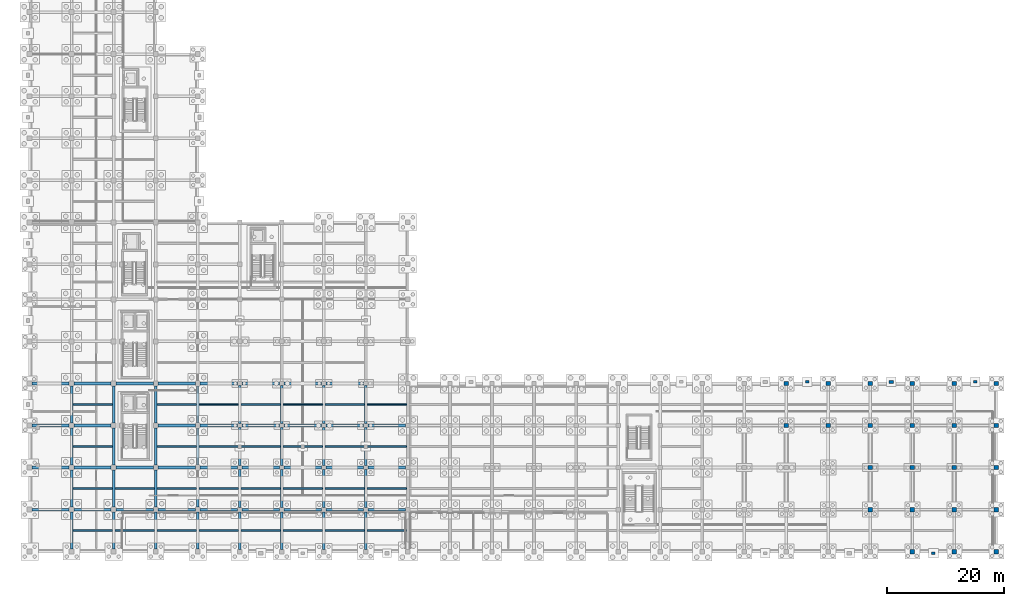
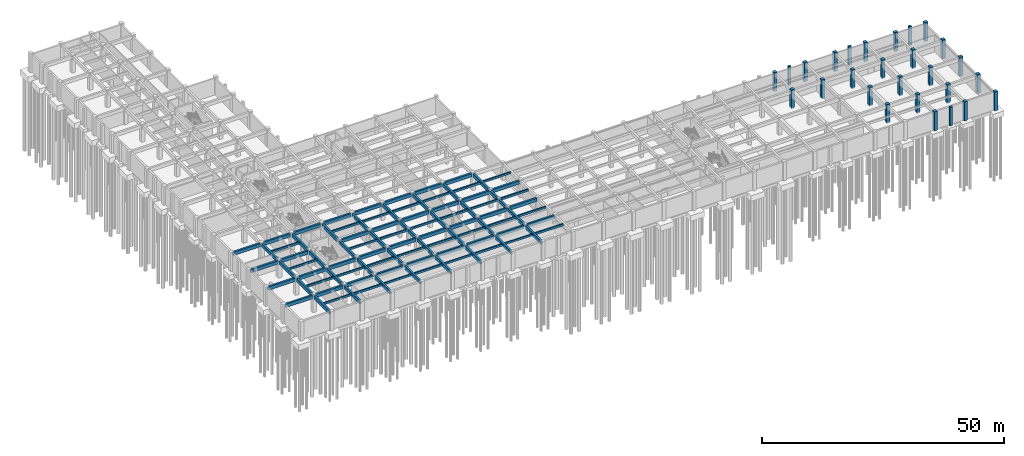
# One storey, part 11 of 28: 96 beams, 27 columns.
"""IFC4 building model written with IfcOpenShell, lengths in metres."""

from ifc_helpers import new_model, si_unit, direction, frame, origin, origin_2d, place, context, subcontext, project, spatial, rectangle, extrude, material, material_profile, profile_set, type_object, element, save


model = new_model("IFC4")

# Units and contexts
model_context = context("Model", 3, precision=1e-05, world=origin(), true_north=direction((0.0, 1.0)))
body_context = subcontext(model_context, "Body", "Model", "MODEL_VIEW")
ifc_project = project(units=[si_unit("LENGTHUNIT", "METRE"), si_unit("AREAUNIT", "SQUARE_METRE"), si_unit("VOLUMEUNIT", "CUBIC_METRE"), si_unit("PLANEANGLEUNIT", "RADIAN"), si_unit("MASSUNIT", "GRAM", prefix="KILO")], contexts=[model_context])

# Site, building, storey
site_placement = place(None, origin())
site = spatial("IfcSite", under=ifc_project, at=site_placement, CompositionType="ELEMENT")
building_placement = place(site_placement, origin())
building = spatial("IfcBuilding", under=site, at=building_placement, Name="Alvorim Cloister Faculty of Sciences", CompositionType="ELEMENT")
storey_placement = place(building_placement, frame((0.0, 0.0, -4.5)))
storey = spatial("IfcBuildingStorey", under=building, at=storey_placement, Name="B01", CompositionType="ELEMENT", Elevation=-4.5)

# Columns
ifc_material_1 = material(Name="Concrete C40", Category="concrete")
ifc_material_profile_1 = material_profile(ifc_material_1, rectangle(XDim=0.75, YDim=0.75, at=origin_2d()), Name="RC40-COL-750x750")
ifc_profile_set_1 = profile_set([ifc_material_profile_1], Name="Concrete C40")
column_type_1 = type_object("IfcColumnType", Name="COL-RC-750", PredefinedType="COLUMN", material=ifc_profile_set_1)
for number, where, z_axis, x_axis, name in (
    (1, (129.60009765625, 21.60009765625, -0.280029296875), (0.0, 0.0, 1.0), (1.0, 0.0, 0.0), "B01 Column COL-0173"),
    (2, (129.60009765625, 28.800048828125, -0.280029296875), (0.0, 0.0, 1.0), (1.0, 0.0, 0.0), "B01 Column COL-0174"),
    (3, (136.800048828125, 21.60009765625, -0.280029296875), (0.0, 0.0, 1.0), (1.0, 0.0, 0.0), "B01 Column COL-0178"),
    (4, (136.800048828125, 28.800048828125, -0.280029296875), (0.0, 0.0, 1.0), (1.0, 0.0, 0.0), "B01 Column COL-0179"),
    (5, (144.0, 7.199951171875, -0.280029296875), (0.0, 0.0, 1.0), (1.0, 0.0, 0.0), "B01 Column COL-0181"),
    (6, (144.0, 14.39990234375, -0.280029296875), (0.0, 0.0, 1.0), (1.0, 0.0, 0.0), "B01 Column COL-0182"),
    (7, (144.0, 21.60009765625, -0.280029296875), (0.0, 0.0, 1.0), (1.0, 0.0, 0.0), "B01 Column COL-0183"),
    (8, (144.0, 28.800048828125, -0.280029296875), (0.0, 0.0, 1.0), (1.0, 0.0, 0.0), "B01 Column COL-0184"),
    (9, (151.199951171875, 0.0, -0.280029296875), (0.0, 0.0, 1.0), (1.0, 0.0, 0.0), "B01 Column COL-0185"),
    (10, (151.199951171875, 7.199951171875, -0.280029296875), (0.0, 0.0, 1.0), (1.0, 0.0, 0.0), "B01 Column COL-0186"),
    (11, (151.199951171875, 14.39990234375, -0.280029296875), (0.0, 0.0, 1.0), (1.0, 0.0, 0.0), "B01 Column COL-0187"),
    (12, (151.199951171875, 21.60009765625, -0.280029296875), (0.0, 0.0, 1.0), (1.0, 0.0, 0.0), "B01 Column COL-0188"),
    (13, (151.199951171875, 28.800048828125, -0.280029296875), (0.0, 0.0, 1.0), (1.0, 0.0, 0.0), "B01 Column COL-0189"),
    (14, (158.39990234375, 0.0, -0.280029296875), (0.0, 0.0, 1.0), (1.0, 0.0, 0.0), "B01 Column COL-0190"),
    (15, (158.39990234375, 7.199951171875, -0.280029296875), (0.0, 0.0, 1.0), (1.0, 0.0, 0.0), "B01 Column COL-0191"),
    (16, (158.39990234375, 14.39990234375, -0.280029296875), (0.0, 0.0, 1.0), (1.0, 0.0, 0.0), "B01 Column COL-0192"),
    (17, (158.39990234375, 21.60009765625, -0.280029296875), (0.0, 0.0, 1.0), (1.0, 0.0, 0.0), "B01 Column COL-0193"),
    (18, (158.39990234375, 28.800048828125, -0.280029296875), (0.0, 0.0, 1.0), (1.0, 0.0, 0.0), "B01 Column COL-0194"),
    (19, (165.60009765625, 0.0, -0.280029296875), (0.0, 0.0, 1.0), (1.0, 0.0, 0.0), "B01 Column COL-0195"),
    (20, (165.60009765625, 7.199951171875, -0.280029296875), (0.0, 0.0, 1.0), (1.0, 0.0, 0.0), "B01 Column COL-0196"),
    (21, (165.60009765625, 14.39990234375, -0.280029296875), (0.0, 0.0, 1.0), (1.0, 0.0, 0.0), "B01 Column COL-0197"),
    (22, (165.60009765625, 21.60009765625, -0.280029296875), (0.0, 0.0, 1.0), (1.0, 0.0, 0.0), "B01 Column COL-0198"),
    (23, (165.60009765625, 28.800048828125, -0.280029296875), (0.0, 0.0, 1.0), (1.0, 0.0, 0.0), "B01 Column COL-0199"),
):
    element("IfcColumn", number, at=place(storey_placement, frame(where, z_axis=z_axis, x_axis=x_axis)), inside=storey, type_object=column_type_1, Name=name, PredefinedType="COLUMN", context=body_context, shape_type="SweptSolid", body=[
        extrude(rectangle(XDim=0.75, YDim=0.75, at=origin_2d()), origin(), (0.0, 0.0, 1.0), 4.780029296875),
    ])
ifc_material_2 = material(Name="Maua Grey Granite Stone", Category="masonry")
ifc_material_profile_2 = material_profile(ifc_material_2, rectangle(XDim=0.4599609375, YDim=0.6201171875, at=origin_2d()), Name="GRN-PIER-460x620")
ifc_profile_set_2 = profile_set([ifc_material_profile_2], Name="Maua Grey Granite Stone")
column_type_2 = type_object("IfcColumnType", Name="PIL-GRN-460x620", PredefinedType="PILASTER", material=ifc_profile_set_2)
for number, where, z_axis, x_axis, name in (
    (24, (154.800048828125, -0.280029296875, -0.280029296875), (0.0, 0.0, 1.0), (0.0, 1.0, 0.0), "B01 Gothic Buttress Pier COL-1190"),
    (25, (133.199951171875, 29.080078125, -0.280029296875), (0.0, 0.0, 1.0), (0.0, 1.0, 0.0), "B01 Gothic Buttress Pier COL-1208"),
    (26, (162.0, 29.080078125, -0.280029296875), (0.0, 0.0, 1.0), (0.0, 1.0, 0.0), "B01 Gothic Buttress Pier COL-1214"),
):
    element("IfcColumn", number, at=place(storey_placement, frame(where, z_axis=z_axis, x_axis=x_axis)), inside=storey, type_object=column_type_2, Name=name, PredefinedType="PILASTER", context=body_context, shape_type="SweptSolid", body=[
        extrude(rectangle(XDim=0.4599609375, YDim=0.6201171875, at=origin_2d()), origin(), (0.0, 0.0, 1.0), 4.780029296875),
    ])
ifc_material_profile_3 = material_profile(ifc_material_2, rectangle(XDim=0.52001953125, YDim=0.719970703125, at=origin_2d()), Name="GRN-PIER-520x720")
ifc_profile_set_3 = profile_set([ifc_material_profile_3], Name="Maua Grey Granite Stone")
column_type_3 = type_object("IfcColumnType", Name="PIL-GRN-520x720", PredefinedType="PILASTER", material=ifc_profile_set_3)
column_placement = place(storey_placement, frame((147.60009765625, 29.080078125, -0.280029296875), z_axis=(0.0, 0.0, 1.0), x_axis=(0.0, 1.0, 0.0)))
element("IfcColumn", 27, at=column_placement, inside=storey, type_object=column_type_3, Name="B01 Gothic Buttress Pier COL-1211", PredefinedType="PILASTER", context=body_context, shape_type="SweptSolid", body=[
    extrude(rectangle(XDim=0.52001953125, YDim=0.719970703125, at=origin_2d()), origin(), (0.0, 0.0, 1.0), 4.780029296875),
])

# Beams
ifc_material_profile_4 = material_profile(ifc_material_1, rectangle(XDim=0.260009765625, YDim=0.5, at=origin_2d()), Name="RC40-JST-260x500")
ifc_profile_set_4 = profile_set([ifc_material_profile_4], Name="Concrete C40")
beam_type_1 = type_object("IfcBeamType", Name="BM-JST-RC-260x500", PredefinedType="JOIST", material=ifc_profile_set_4)
for number, where, z_axis, x_axis, name in (
    (28, (7.425048828125, 3.60009765625, 3.989990234375), (1.0, 0.0, 0.0), (0.0, 1.0, 0.0), "B01 Secondary Floor Joist BM-0490"),
    (29, (7.425048828125, 18.0, 3.989990234375), (1.0, 0.0, 0.0), (0.0, 1.0, 0.0), "B01 Secondary Floor Joist BM-0492"),
    (30, (14.625, 10.800048828125, 3.989990234375), (1.0, 0.0, 0.0), (0.0, 1.0, 0.0), "B01 Secondary Floor Joist BM-0507"),
    (31, (21.824951171875, 3.60009765625, 3.989990234375), (1.0, 0.0, 0.0), (0.0, 1.0, 0.0), "B01 Secondary Floor Joist BM-0510"),
    (32, (21.824951171875, 18.0, 3.989990234375), (1.0, 0.0, 0.0), (0.0, 1.0, 0.0), "B01 Secondary Floor Joist BM-0512"),
    (33, (29.02490234375, 10.800048828125, 3.989990234375), (1.0, 0.0, 0.0), (0.0, 1.0, 0.0), "B01 Secondary Floor Joist BM-0519"),
    (34, (29.02490234375, 25.199951171875, 3.989990234375), (1.0, 0.0, 0.0), (0.0, 1.0, 0.0), "B01 Secondary Floor Joist BM-0521"),
    (35, (36.22509765625, 3.60009765625, 3.989990234375), (1.0, 0.0, 0.0), (0.0, 1.0, 0.0), "B01 Secondary Floor Joist BM-0526"),
    (36, (36.22509765625, 18.0, 3.989990234375), (1.0, 0.0, 0.0), (0.0, 1.0, 0.0), "B01 Secondary Floor Joist BM-0528"),
    (37, (43.425048828125, 10.800048828125, 3.989990234375), (1.0, 0.0, 0.0), (0.0, 1.0, 0.0), "B01 Secondary Floor Joist BM-0534"),
    (38, (43.425048828125, 25.199951171875, 3.989990234375), (1.0, 0.0, 0.0), (0.0, 1.0, 0.0), "B01 Secondary Floor Joist BM-0536"),
    (39, (50.625, 3.60009765625, 3.989990234375), (1.0, 0.0, 0.0), (0.0, 1.0, 0.0), "B01 Secondary Floor Joist BM-0541"),
    (40, (50.625, 18.0, 3.989990234375), (1.0, 0.0, 0.0), (0.0, 1.0, 0.0), "B01 Secondary Floor Joist BM-0543"),
    (41, (57.824951171875, 10.800048828125, 3.989990234375), (1.0, 0.0, 0.0), (0.0, 1.0, 0.0), "B01 Secondary Floor Joist BM-0550"),
    (42, (57.824951171875, 25.199951171875, 3.989990234375), (1.0, 0.0, 0.0), (0.0, 1.0, 0.0), "B01 Secondary Floor Joist BM-0552"),
):
    element("IfcBeam", number, at=place(storey_placement, frame(where, z_axis=z_axis, x_axis=x_axis)), inside=storey, type_object=beam_type_1, Name=name, PredefinedType="JOIST", context=body_context, shape_type="SweptSolid", body=[
        extrude(rectangle(XDim=0.260009765625, YDim=0.5, at=origin_2d()), origin(), (0.0, 0.0, 1.0), 6.75),
    ])
ifc_material_profile_5 = material_profile(ifc_material_1, rectangle(XDim=0.300048828125, YDim=0.550048828125, at=origin_2d()), Name="RC40-JST-300x550")
ifc_profile_set_5 = profile_set([ifc_material_profile_5], Name="Concrete C40")
beam_type_2 = type_object("IfcBeamType", Name="BM-JST-RC-300x550", PredefinedType="JOIST", material=ifc_profile_set_5)
for number, where, z_axis, x_axis, name in (
    (43, (7.425048828125, 10.800048828125, 3.965087890625), (1.0, 0.0, 0.0), (0.0, 1.0, 0.0), "B01 Secondary Floor Joist BM-0491"),
    (44, (7.425048828125, 25.199951171875, 3.965087890625), (1.0, 0.0, 0.0), (0.0, 1.0, 0.0), "B01 Secondary Floor Joist BM-0493"),
    (45, (14.625, 3.60009765625, 3.965087890625), (1.0, 0.0, 0.0), (0.0, 1.0, 0.0), "B01 Secondary Floor Joist BM-0506"),
    (46, (21.824951171875, 10.800048828125, 3.965087890625), (1.0, 0.0, 0.0), (0.0, 1.0, 0.0), "B01 Secondary Floor Joist BM-0511"),
    (47, (21.824951171875, 25.199951171875, 3.965087890625), (1.0, 0.0, 0.0), (0.0, 1.0, 0.0), "B01 Secondary Floor Joist BM-0513"),
    (48, (29.02490234375, 3.60009765625, 3.965087890625), (1.0, 0.0, 0.0), (0.0, 1.0, 0.0), "B01 Secondary Floor Joist BM-0518"),
    (49, (29.02490234375, 18.0, 3.965087890625), (1.0, 0.0, 0.0), (0.0, 1.0, 0.0), "B01 Secondary Floor Joist BM-0520"),
    (50, (36.22509765625, 10.800048828125, 3.965087890625), (1.0, 0.0, 0.0), (0.0, 1.0, 0.0), "B01 Secondary Floor Joist BM-0527"),
    (51, (36.22509765625, 25.199951171875, 3.965087890625), (1.0, 0.0, 0.0), (0.0, 1.0, 0.0), "B01 Secondary Floor Joist BM-0529"),
    (52, (43.425048828125, 3.60009765625, 3.965087890625), (1.0, 0.0, 0.0), (0.0, 1.0, 0.0), "B01 Secondary Floor Joist BM-0533"),
    (53, (43.425048828125, 18.0, 3.965087890625), (1.0, 0.0, 0.0), (0.0, 1.0, 0.0), "B01 Secondary Floor Joist BM-0535"),
    (54, (50.625, 10.800048828125, 3.965087890625), (1.0, 0.0, 0.0), (0.0, 1.0, 0.0), "B01 Secondary Floor Joist BM-0542"),
    (55, (50.625, 25.199951171875, 3.965087890625), (1.0, 0.0, 0.0), (0.0, 1.0, 0.0), "B01 Secondary Floor Joist BM-0544"),
    (56, (57.824951171875, 3.60009765625, 3.965087890625), (1.0, 0.0, 0.0), (0.0, 1.0, 0.0), "B01 Secondary Floor Joist BM-0549"),
    (57, (57.824951171875, 18.0, 3.965087890625), (1.0, 0.0, 0.0), (0.0, 1.0, 0.0), "B01 Secondary Floor Joist BM-0551"),
):
    element("IfcBeam", number, at=place(storey_placement, frame(where, z_axis=z_axis, x_axis=x_axis)), inside=storey, type_object=beam_type_2, Name=name, PredefinedType="JOIST", context=body_context, shape_type="SweptSolid", body=[
        extrude(rectangle(XDim=0.300048828125, YDim=0.550048828125, at=origin_2d()), origin(), (0.0, 0.0, 1.0), 6.75),
    ])
ifc_material_profile_6 = material_profile(ifc_material_1, rectangle(XDim=0.449951171875, YDim=0.85009765625, at=origin_2d()), Name="RC40-BM-450x850")
ifc_profile_set_6 = profile_set([ifc_material_profile_6], Name="Concrete C40")
beam_type_3 = type_object("IfcBeamType", Name="BM-RC-450x850", PredefinedType="BEAM", material=ifc_profile_set_6)
beam_1_placement = place(storey_placement, frame((0.425048828125, 7.199951171875, 3.81494140625), z_axis=(1.0, 0.0, 0.0), x_axis=(0.0, 1.0, 0.0)))
element("IfcBeam", 58, at=beam_1_placement, inside=storey, type_object=beam_type_3, Name="B01 Primary Beam BM-0234", PredefinedType="BEAM", context=body_context, shape_type="SweptSolid", body=[
    extrude(rectangle(XDim=0.449951171875, YDim=0.85009765625, at=origin_2d()), origin(), (0.0, 0.0, 1.0), 6.349853515625),
])
for number, where, z_axis, x_axis, name in (
    (59, (7.625, 7.199951171875, 3.81494140625), (1.0, 0.0, 0.0), (0.0, 1.0, 0.0), "B01 Primary Beam BM-0235"),
    (60, (14.824951171875, 7.199951171875, 3.81494140625), (1.0, 0.0, 0.0), (0.0, 1.0, 0.0), "B01 Primary Beam BM-0236"),
    (61, (22.02490234375, 7.199951171875, 3.81494140625), (1.0, 0.0, 0.0), (0.0, 1.0, 0.0), "B01 Primary Beam BM-0237"),
):
    element("IfcBeam", number, at=place(storey_placement, frame(where, z_axis=z_axis, x_axis=x_axis)), inside=storey, type_object=beam_type_3, Name=name, PredefinedType="BEAM", context=body_context, shape_type="SweptSolid", body=[
        extrude(rectangle(XDim=0.449951171875, YDim=0.85009765625, at=origin_2d()), origin(), (0.0, 0.0, 1.0), 6.35009765625),
    ])
beam_2_placement = place(storey_placement, frame((29.22509765625, 7.199951171875, 3.81494140625), z_axis=(1.0, 0.0, 0.0), x_axis=(0.0, 1.0, 0.0)))
element("IfcBeam", 62, at=beam_2_placement, inside=storey, type_object=beam_type_3, Name="B01 Primary Beam BM-0238", PredefinedType="BEAM", context=body_context, shape_type="SweptSolid", body=[
    extrude(rectangle(XDim=0.449951171875, YDim=0.85009765625, at=origin_2d()), origin(), (0.0, 0.0, 1.0), 6.39990234375),
])
for number, where, z_axis, x_axis, name in (
    (63, (36.375, 7.199951171875, 3.81494140625), (1.0, 0.0, 0.0), (0.0, 1.0, 0.0), "B01 Primary Beam BM-0239"),
    (64, (43.574951171875, 7.199951171875, 3.81494140625), (1.0, 0.0, 0.0), (0.0, 1.0, 0.0), "B01 Primary Beam BM-0240"),
):
    element("IfcBeam", number, at=place(storey_placement, frame(where, z_axis=z_axis, x_axis=x_axis)), inside=storey, type_object=beam_type_3, Name=name, PredefinedType="BEAM", context=body_context, shape_type="SweptSolid", body=[
        extrude(rectangle(XDim=0.449951171875, YDim=0.85009765625, at=origin_2d()), origin(), (0.0, 0.0, 1.0), 6.449951171875),
    ])
beam_3_placement = place(storey_placement, frame((50.77490234375, 7.199951171875, 3.81494140625), z_axis=(1.0, 0.0, 0.0), x_axis=(0.0, 1.0, 0.0)))
element("IfcBeam", 65, at=beam_3_placement, inside=storey, type_object=beam_type_3, Name="B01 Primary Beam BM-0241", PredefinedType="BEAM", context=body_context, shape_type="SweptSolid", body=[
    extrude(rectangle(XDim=0.449951171875, YDim=0.85009765625, at=origin_2d()), origin(), (0.0, 0.0, 1.0), 6.4501953125),
])
beam_4_placement = place(storey_placement, frame((57.97509765625, 7.199951171875, 3.81494140625), z_axis=(1.0, 0.0, 0.0), x_axis=(0.0, 1.0, 0.0)))
element("IfcBeam", 66, at=beam_4_placement, inside=storey, type_object=beam_type_3, Name="B01 Primary Beam BM-0242", PredefinedType="BEAM", context=body_context, shape_type="SweptSolid", body=[
    extrude(rectangle(XDim=0.449951171875, YDim=0.85009765625, at=origin_2d()), origin(), (0.0, 0.0, 1.0), 6.449951171875),
])
beam_5_placement = place(storey_placement, frame((0.425048828125, 14.39990234375, 3.81494140625), z_axis=(1.0, 0.0, 0.0), x_axis=(0.0, 1.0, 0.0)))
element("IfcBeam", 67, at=beam_5_placement, inside=storey, type_object=beam_type_3, Name="B01 Primary Beam BM-0256", PredefinedType="BEAM", context=body_context, shape_type="SweptSolid", body=[
    extrude(rectangle(XDim=0.449951171875, YDim=0.85009765625, at=origin_2d()), origin(), (0.0, 0.0, 1.0), 6.349853515625),
])
for number, where, z_axis, x_axis, name in (
    (68, (7.625, 14.39990234375, 3.81494140625), (1.0, 0.0, 0.0), (0.0, 1.0, 0.0), "B01 Primary Beam BM-0257"),
    (69, (14.824951171875, 14.39990234375, 3.81494140625), (1.0, 0.0, 0.0), (0.0, 1.0, 0.0), "B01 Primary Beam BM-0258"),
    (70, (22.02490234375, 14.39990234375, 3.81494140625), (1.0, 0.0, 0.0), (0.0, 1.0, 0.0), "B01 Primary Beam BM-0259"),
):
    element("IfcBeam", number, at=place(storey_placement, frame(where, z_axis=z_axis, x_axis=x_axis)), inside=storey, type_object=beam_type_3, Name=name, PredefinedType="BEAM", context=body_context, shape_type="SweptSolid", body=[
        extrude(rectangle(XDim=0.449951171875, YDim=0.85009765625, at=origin_2d()), origin(), (0.0, 0.0, 1.0), 6.35009765625),
    ])
beam_6_placement = place(storey_placement, frame((29.22509765625, 14.39990234375, 3.81494140625), z_axis=(1.0, 0.0, 0.0), x_axis=(0.0, 1.0, 0.0)))
element("IfcBeam", 71, at=beam_6_placement, inside=storey, type_object=beam_type_3, Name="B01 Primary Beam BM-0260", PredefinedType="BEAM", context=body_context, shape_type="SweptSolid", body=[
    extrude(rectangle(XDim=0.449951171875, YDim=0.85009765625, at=origin_2d()), origin(), (0.0, 0.0, 1.0), 6.39990234375),
])
for number, where, z_axis, x_axis, name in (
    (72, (36.375, 14.39990234375, 3.81494140625), (1.0, 0.0, 0.0), (0.0, 1.0, 0.0), "B01 Primary Beam BM-0261"),
    (73, (43.574951171875, 14.39990234375, 3.81494140625), (1.0, 0.0, 0.0), (0.0, 1.0, 0.0), "B01 Primary Beam BM-0262"),
):
    element("IfcBeam", number, at=place(storey_placement, frame(where, z_axis=z_axis, x_axis=x_axis)), inside=storey, type_object=beam_type_3, Name=name, PredefinedType="BEAM", context=body_context, shape_type="SweptSolid", body=[
        extrude(rectangle(XDim=0.449951171875, YDim=0.85009765625, at=origin_2d()), origin(), (0.0, 0.0, 1.0), 6.449951171875),
    ])
beam_7_placement = place(storey_placement, frame((50.77490234375, 14.39990234375, 3.81494140625), z_axis=(1.0, 0.0, 0.0), x_axis=(0.0, 1.0, 0.0)))
element("IfcBeam", 74, at=beam_7_placement, inside=storey, type_object=beam_type_3, Name="B01 Primary Beam BM-0263", PredefinedType="BEAM", context=body_context, shape_type="SweptSolid", body=[
    extrude(rectangle(XDim=0.449951171875, YDim=0.85009765625, at=origin_2d()), origin(), (0.0, 0.0, 1.0), 6.4501953125),
])
beam_8_placement = place(storey_placement, frame((57.97509765625, 14.39990234375, 3.81494140625), z_axis=(1.0, 0.0, 0.0), x_axis=(0.0, 1.0, 0.0)))
element("IfcBeam", 75, at=beam_8_placement, inside=storey, type_object=beam_type_3, Name="B01 Primary Beam BM-0264", PredefinedType="BEAM", context=body_context, shape_type="SweptSolid", body=[
    extrude(rectangle(XDim=0.449951171875, YDim=0.85009765625, at=origin_2d()), origin(), (0.0, 0.0, 1.0), 6.449951171875),
])
beam_9_placement = place(storey_placement, frame((0.425048828125, 21.60009765625, 3.81494140625), z_axis=(1.0, 0.0, 0.0), x_axis=(0.0, 1.0, 0.0)))
element("IfcBeam", 76, at=beam_9_placement, inside=storey, type_object=beam_type_3, Name="B01 Primary Beam BM-0279", PredefinedType="BEAM", context=body_context, shape_type="SweptSolid", body=[
    extrude(rectangle(XDim=0.449951171875, YDim=0.85009765625, at=origin_2d()), origin(), (0.0, 0.0, 1.0), 6.349853515625),
])
for number, where, z_axis, x_axis, name in (
    (77, (7.625, 21.60009765625, 3.81494140625), (1.0, 0.0, 0.0), (0.0, 1.0, 0.0), "B01 Primary Beam BM-0280"),
    (78, (22.02490234375, 21.60009765625, 3.81494140625), (1.0, 0.0, 0.0), (0.0, 1.0, 0.0), "B01 Primary Beam BM-0281"),
):
    element("IfcBeam", number, at=place(storey_placement, frame(where, z_axis=z_axis, x_axis=x_axis)), inside=storey, type_object=beam_type_3, Name=name, PredefinedType="BEAM", context=body_context, shape_type="SweptSolid", body=[
        extrude(rectangle(XDim=0.449951171875, YDim=0.85009765625, at=origin_2d()), origin(), (0.0, 0.0, 1.0), 6.35009765625),
    ])
beam_10_placement = place(storey_placement, frame((29.22509765625, 21.60009765625, 3.81494140625), z_axis=(1.0, 0.0, 0.0), x_axis=(0.0, 1.0, 0.0)))
element("IfcBeam", 79, at=beam_10_placement, inside=storey, type_object=beam_type_3, Name="B01 Primary Beam BM-0282", PredefinedType="BEAM", context=body_context, shape_type="SweptSolid", body=[
    extrude(rectangle(XDim=0.449951171875, YDim=0.85009765625, at=origin_2d()), origin(), (0.0, 0.0, 1.0), 6.39990234375),
])
for number, where, z_axis, x_axis, name in (
    (80, (36.375, 21.60009765625, 3.81494140625), (1.0, 0.0, 0.0), (0.0, 1.0, 0.0), "B01 Primary Beam BM-0283"),
    (81, (43.574951171875, 21.60009765625, 3.81494140625), (1.0, 0.0, 0.0), (0.0, 1.0, 0.0), "B01 Primary Beam BM-0284"),
):
    element("IfcBeam", number, at=place(storey_placement, frame(where, z_axis=z_axis, x_axis=x_axis)), inside=storey, type_object=beam_type_3, Name=name, PredefinedType="BEAM", context=body_context, shape_type="SweptSolid", body=[
        extrude(rectangle(XDim=0.449951171875, YDim=0.85009765625, at=origin_2d()), origin(), (0.0, 0.0, 1.0), 6.449951171875),
    ])
beam_11_placement = place(storey_placement, frame((50.77490234375, 21.60009765625, 3.81494140625), z_axis=(1.0, 0.0, 0.0), x_axis=(0.0, 1.0, 0.0)))
element("IfcBeam", 82, at=beam_11_placement, inside=storey, type_object=beam_type_3, Name="B01 Primary Beam BM-0285", PredefinedType="BEAM", context=body_context, shape_type="SweptSolid", body=[
    extrude(rectangle(XDim=0.449951171875, YDim=0.85009765625, at=origin_2d()), origin(), (0.0, 0.0, 1.0), 6.4501953125),
])
beam_12_placement = place(storey_placement, frame((57.97509765625, 21.60009765625, 3.81494140625), z_axis=(1.0, 0.0, 0.0), x_axis=(0.0, 1.0, 0.0)))
element("IfcBeam", 83, at=beam_12_placement, inside=storey, type_object=beam_type_3, Name="B01 Primary Beam BM-0286", PredefinedType="BEAM", context=body_context, shape_type="SweptSolid", body=[
    extrude(rectangle(XDim=0.449951171875, YDim=0.85009765625, at=origin_2d()), origin(), (0.0, 0.0, 1.0), 6.449951171875),
])
beam_13_placement = place(storey_placement, frame((0.425048828125, 28.800048828125, 3.81494140625), z_axis=(1.0, 0.0, 0.0), x_axis=(0.0, 1.0, 0.0)))
element("IfcBeam", 84, at=beam_13_placement, inside=storey, type_object=beam_type_3, Name="B01 Primary Beam BM-0300", PredefinedType="BEAM", context=body_context, shape_type="SweptSolid", body=[
    extrude(rectangle(XDim=0.449951171875, YDim=0.85009765625, at=origin_2d()), origin(), (0.0, 0.0, 1.0), 6.349853515625),
])
for number, where, z_axis, x_axis, name in (
    (85, (7.625, 28.800048828125, 3.81494140625), (1.0, 0.0, 0.0), (0.0, 1.0, 0.0), "B01 Primary Beam BM-0301"),
    (86, (14.824951171875, 28.800048828125, 3.81494140625), (1.0, 0.0, 0.0), (0.0, 1.0, 0.0), "B01 Primary Beam BM-0302"),
    (87, (22.02490234375, 28.800048828125, 3.81494140625), (1.0, 0.0, 0.0), (0.0, 1.0, 0.0), "B01 Primary Beam BM-0303"),
):
    element("IfcBeam", number, at=place(storey_placement, frame(where, z_axis=z_axis, x_axis=x_axis)), inside=storey, type_object=beam_type_3, Name=name, PredefinedType="BEAM", context=body_context, shape_type="SweptSolid", body=[
        extrude(rectangle(XDim=0.449951171875, YDim=0.85009765625, at=origin_2d()), origin(), (0.0, 0.0, 1.0), 6.35009765625),
    ])
beam_14_placement = place(storey_placement, frame((29.22509765625, 28.800048828125, 3.81494140625), z_axis=(1.0, 0.0, 0.0), x_axis=(0.0, 1.0, 0.0)))
element("IfcBeam", 88, at=beam_14_placement, inside=storey, type_object=beam_type_3, Name="B01 Primary Beam BM-0304", PredefinedType="BEAM", context=body_context, shape_type="SweptSolid", body=[
    extrude(rectangle(XDim=0.449951171875, YDim=0.85009765625, at=origin_2d()), origin(), (0.0, 0.0, 1.0), 6.39990234375),
])
for number, where, z_axis, x_axis, name in (
    (89, (36.375, 28.800048828125, 3.81494140625), (1.0, 0.0, 0.0), (0.0, 1.0, 0.0), "B01 Primary Beam BM-0305"),
    (90, (43.574951171875, 28.800048828125, 3.81494140625), (1.0, 0.0, 0.0), (0.0, 1.0, 0.0), "B01 Primary Beam BM-0306"),
):
    element("IfcBeam", number, at=place(storey_placement, frame(where, z_axis=z_axis, x_axis=x_axis)), inside=storey, type_object=beam_type_3, Name=name, PredefinedType="BEAM", context=body_context, shape_type="SweptSolid", body=[
        extrude(rectangle(XDim=0.449951171875, YDim=0.85009765625, at=origin_2d()), origin(), (0.0, 0.0, 1.0), 6.449951171875),
    ])
beam_15_placement = place(storey_placement, frame((50.77490234375, 28.800048828125, 3.81494140625), z_axis=(1.0, 0.0, 0.0), x_axis=(0.0, 1.0, 0.0)))
element("IfcBeam", 91, at=beam_15_placement, inside=storey, type_object=beam_type_3, Name="B01 Primary Beam BM-0307", PredefinedType="BEAM", context=body_context, shape_type="SweptSolid", body=[
    extrude(rectangle(XDim=0.449951171875, YDim=0.85009765625, at=origin_2d()), origin(), (0.0, 0.0, 1.0), 6.4501953125),
])
beam_16_placement = place(storey_placement, frame((7.199951171875, 0.425048828125, 3.81494140625), z_axis=(0.0, 1.0, 0.0), x_axis=(-1.0, 0.0, 0.0)))
element("IfcBeam", 92, at=beam_16_placement, inside=storey, type_object=beam_type_3, Name="B01 Primary Girder BM-0360", PredefinedType="BEAM", context=body_context, shape_type="SweptSolid", body=[
    extrude(rectangle(XDim=0.449951171875, YDim=0.85009765625, at=origin_2d()), origin(), (0.0, 0.0, 1.0), 6.349853515625),
])
for number, where, z_axis, x_axis, name in (
    (93, (7.199951171875, 7.625, 3.81494140625), (0.0, 1.0, 0.0), (-1.0, 0.0, 0.0), "B01 Primary Girder BM-0361"),
    (94, (7.199951171875, 14.824951171875, 3.81494140625), (0.0, 1.0, 0.0), (-1.0, 0.0, 0.0), "B01 Primary Girder BM-0362"),
    (95, (7.199951171875, 22.02490234375, 3.81494140625), (0.0, 1.0, 0.0), (-1.0, 0.0, 0.0), "B01 Primary Girder BM-0363"),
):
    element("IfcBeam", number, at=place(storey_placement, frame(where, z_axis=z_axis, x_axis=x_axis)), inside=storey, type_object=beam_type_3, Name=name, PredefinedType="BEAM", context=body_context, shape_type="SweptSolid", body=[
        extrude(rectangle(XDim=0.449951171875, YDim=0.85009765625, at=origin_2d()), origin(), (0.0, 0.0, 1.0), 6.35009765625),
    ])
beam_17_placement = place(storey_placement, frame((14.39990234375, 0.425048828125, 3.81494140625), z_axis=(0.0, 1.0, 0.0), x_axis=(-1.0, 0.0, 0.0)))
element("IfcBeam", 96, at=beam_17_placement, inside=storey, type_object=beam_type_3, Name="B01 Primary Girder BM-0376", PredefinedType="BEAM", context=body_context, shape_type="SweptSolid", body=[
    extrude(rectangle(XDim=0.449951171875, YDim=0.85009765625, at=origin_2d()), origin(), (0.0, 0.0, 1.0), 6.349853515625),
])
for number, where, z_axis, x_axis, name in (
    (97, (14.39990234375, 7.625, 3.81494140625), (0.0, 1.0, 0.0), (-1.0, 0.0, 0.0), "B01 Primary Girder BM-0377"),
    (98, (14.39990234375, 14.824951171875, 3.81494140625), (0.0, 1.0, 0.0), (-1.0, 0.0, 0.0), "B01 Primary Girder BM-0378"),
    (99, (14.39990234375, 22.02490234375, 3.81494140625), (0.0, 1.0, 0.0), (-1.0, 0.0, 0.0), "B01 Primary Girder BM-0379"),
):
    element("IfcBeam", number, at=place(storey_placement, frame(where, z_axis=z_axis, x_axis=x_axis)), inside=storey, type_object=beam_type_3, Name=name, PredefinedType="BEAM", context=body_context, shape_type="SweptSolid", body=[
        extrude(rectangle(XDim=0.449951171875, YDim=0.85009765625, at=origin_2d()), origin(), (0.0, 0.0, 1.0), 6.35009765625),
    ])
beam_18_placement = place(storey_placement, frame((21.60009765625, 0.425048828125, 3.81494140625), z_axis=(0.0, 1.0, 0.0), x_axis=(-1.0, 0.0, 0.0)))
element("IfcBeam", 100, at=beam_18_placement, inside=storey, type_object=beam_type_3, Name="B01 Primary Girder BM-0392", PredefinedType="BEAM", context=body_context, shape_type="SweptSolid", body=[
    extrude(rectangle(XDim=0.449951171875, YDim=0.85009765625, at=origin_2d()), origin(), (0.0, 0.0, 1.0), 6.349853515625),
])
for number, where, z_axis, x_axis, name in (
    (101, (21.60009765625, 7.625, 3.81494140625), (0.0, 1.0, 0.0), (-1.0, 0.0, 0.0), "B01 Primary Girder BM-0393"),
    (102, (21.60009765625, 14.824951171875, 3.81494140625), (0.0, 1.0, 0.0), (-1.0, 0.0, 0.0), "B01 Primary Girder BM-0394"),
    (103, (21.60009765625, 22.02490234375, 3.81494140625), (0.0, 1.0, 0.0), (-1.0, 0.0, 0.0), "B01 Primary Girder BM-0395"),
):
    element("IfcBeam", number, at=place(storey_placement, frame(where, z_axis=z_axis, x_axis=x_axis)), inside=storey, type_object=beam_type_3, Name=name, PredefinedType="BEAM", context=body_context, shape_type="SweptSolid", body=[
        extrude(rectangle(XDim=0.449951171875, YDim=0.85009765625, at=origin_2d()), origin(), (0.0, 0.0, 1.0), 6.35009765625),
    ])
beam_19_placement = place(storey_placement, frame((28.800048828125, 0.425048828125, 3.81494140625), z_axis=(0.0, 1.0, 0.0), x_axis=(-1.0, 0.0, 0.0)))
element("IfcBeam", 104, at=beam_19_placement, inside=storey, type_object=beam_type_3, Name="B01 Primary Girder BM-0404", PredefinedType="BEAM", context=body_context, shape_type="SweptSolid", body=[
    extrude(rectangle(XDim=0.449951171875, YDim=0.85009765625, at=origin_2d()), origin(), (0.0, 0.0, 1.0), 6.349853515625),
])
for number, where, z_axis, x_axis, name in (
    (105, (28.800048828125, 7.625, 3.81494140625), (0.0, 1.0, 0.0), (-1.0, 0.0, 0.0), "B01 Primary Girder BM-0405"),
    (106, (28.800048828125, 14.824951171875, 3.81494140625), (0.0, 1.0, 0.0), (-1.0, 0.0, 0.0), "B01 Primary Girder BM-0406"),
    (107, (28.800048828125, 22.02490234375, 3.81494140625), (0.0, 1.0, 0.0), (-1.0, 0.0, 0.0), "B01 Primary Girder BM-0407"),
):
    element("IfcBeam", number, at=place(storey_placement, frame(where, z_axis=z_axis, x_axis=x_axis)), inside=storey, type_object=beam_type_3, Name=name, PredefinedType="BEAM", context=body_context, shape_type="SweptSolid", body=[
        extrude(rectangle(XDim=0.449951171875, YDim=0.85009765625, at=origin_2d()), origin(), (0.0, 0.0, 1.0), 6.35009765625),
    ])
for number, where, z_axis, x_axis, name in (
    (108, (36.0, 0.375, 3.81494140625), (0.0, 1.0, 0.0), (-1.0, 0.0, 0.0), "B01 Primary Girder BM-0412"),
    (109, (36.0, 7.574951171875, 3.81494140625), (0.0, 1.0, 0.0), (-1.0, 0.0, 0.0), "B01 Primary Girder BM-0413"),
):
    element("IfcBeam", number, at=place(storey_placement, frame(where, z_axis=z_axis, x_axis=x_axis)), inside=storey, type_object=beam_type_3, Name=name, PredefinedType="BEAM", context=body_context, shape_type="SweptSolid", body=[
        extrude(rectangle(XDim=0.449951171875, YDim=0.85009765625, at=origin_2d()), origin(), (0.0, 0.0, 1.0), 6.449951171875),
    ])
beam_20_placement = place(storey_placement, frame((36.0, 14.77490234375, 3.81494140625), z_axis=(0.0, 1.0, 0.0), x_axis=(-1.0, 0.0, 0.0)))
element("IfcBeam", 110, at=beam_20_placement, inside=storey, type_object=beam_type_3, Name="B01 Primary Girder BM-0414", PredefinedType="BEAM", context=body_context, shape_type="SweptSolid", body=[
    extrude(rectangle(XDim=0.449951171875, YDim=0.85009765625, at=origin_2d()), origin(), (0.0, 0.0, 1.0), 6.4501953125),
])
for number, where, z_axis, x_axis, name in (
    (111, (36.0, 21.97509765625, 3.81494140625), (0.0, 1.0, 0.0), (-1.0, 0.0, 0.0), "B01 Primary Girder BM-0415"),
    (112, (43.199951171875, 0.375, 3.81494140625), (0.0, 1.0, 0.0), (-1.0, 0.0, 0.0), "B01 Primary Girder BM-0420"),
    (113, (43.199951171875, 7.574951171875, 3.81494140625), (0.0, 1.0, 0.0), (-1.0, 0.0, 0.0), "B01 Primary Girder BM-0421"),
):
    element("IfcBeam", number, at=place(storey_placement, frame(where, z_axis=z_axis, x_axis=x_axis)), inside=storey, type_object=beam_type_3, Name=name, PredefinedType="BEAM", context=body_context, shape_type="SweptSolid", body=[
        extrude(rectangle(XDim=0.449951171875, YDim=0.85009765625, at=origin_2d()), origin(), (0.0, 0.0, 1.0), 6.449951171875),
    ])
beam_21_placement = place(storey_placement, frame((43.199951171875, 14.77490234375, 3.81494140625), z_axis=(0.0, 1.0, 0.0), x_axis=(-1.0, 0.0, 0.0)))
element("IfcBeam", 114, at=beam_21_placement, inside=storey, type_object=beam_type_3, Name="B01 Primary Girder BM-0422", PredefinedType="BEAM", context=body_context, shape_type="SweptSolid", body=[
    extrude(rectangle(XDim=0.449951171875, YDim=0.85009765625, at=origin_2d()), origin(), (0.0, 0.0, 1.0), 6.4501953125),
])
for number, where, z_axis, x_axis, name in (
    (115, (43.199951171875, 21.97509765625, 3.81494140625), (0.0, 1.0, 0.0), (-1.0, 0.0, 0.0), "B01 Primary Girder BM-0423"),
    (116, (50.39990234375, 0.375, 3.81494140625), (0.0, 1.0, 0.0), (-1.0, 0.0, 0.0), "B01 Primary Girder BM-0428"),
    (117, (50.39990234375, 7.574951171875, 3.81494140625), (0.0, 1.0, 0.0), (-1.0, 0.0, 0.0), "B01 Primary Girder BM-0429"),
):
    element("IfcBeam", number, at=place(storey_placement, frame(where, z_axis=z_axis, x_axis=x_axis)), inside=storey, type_object=beam_type_3, Name=name, PredefinedType="BEAM", context=body_context, shape_type="SweptSolid", body=[
        extrude(rectangle(XDim=0.449951171875, YDim=0.85009765625, at=origin_2d()), origin(), (0.0, 0.0, 1.0), 6.449951171875),
    ])
beam_22_placement = place(storey_placement, frame((50.39990234375, 14.77490234375, 3.81494140625), z_axis=(0.0, 1.0, 0.0), x_axis=(-1.0, 0.0, 0.0)))
element("IfcBeam", 118, at=beam_22_placement, inside=storey, type_object=beam_type_3, Name="B01 Primary Girder BM-0430", PredefinedType="BEAM", context=body_context, shape_type="SweptSolid", body=[
    extrude(rectangle(XDim=0.449951171875, YDim=0.85009765625, at=origin_2d()), origin(), (0.0, 0.0, 1.0), 6.4501953125),
])
for number, where, z_axis, x_axis, name in (
    (119, (50.39990234375, 21.97509765625, 3.81494140625), (0.0, 1.0, 0.0), (-1.0, 0.0, 0.0), "B01 Primary Girder BM-0431"),
    (120, (57.60009765625, 0.375, 3.81494140625), (0.0, 1.0, 0.0), (-1.0, 0.0, 0.0), "B01 Primary Girder BM-0436"),
    (121, (57.60009765625, 7.574951171875, 3.81494140625), (0.0, 1.0, 0.0), (-1.0, 0.0, 0.0), "B01 Primary Girder BM-0437"),
):
    element("IfcBeam", number, at=place(storey_placement, frame(where, z_axis=z_axis, x_axis=x_axis)), inside=storey, type_object=beam_type_3, Name=name, PredefinedType="BEAM", context=body_context, shape_type="SweptSolid", body=[
        extrude(rectangle(XDim=0.449951171875, YDim=0.85009765625, at=origin_2d()), origin(), (0.0, 0.0, 1.0), 6.449951171875),
    ])
beam_23_placement = place(storey_placement, frame((57.60009765625, 14.77490234375, 3.81494140625), z_axis=(0.0, 1.0, 0.0), x_axis=(-1.0, 0.0, 0.0)))
element("IfcBeam", 122, at=beam_23_placement, inside=storey, type_object=beam_type_3, Name="B01 Primary Girder BM-0438", PredefinedType="BEAM", context=body_context, shape_type="SweptSolid", body=[
    extrude(rectangle(XDim=0.449951171875, YDim=0.85009765625, at=origin_2d()), origin(), (0.0, 0.0, 1.0), 6.4501953125),
])
beam_24_placement = place(storey_placement, frame((57.60009765625, 21.97509765625, 3.81494140625), z_axis=(0.0, 1.0, 0.0), x_axis=(-1.0, 0.0, 0.0)))
element("IfcBeam", 123, at=beam_24_placement, inside=storey, type_object=beam_type_3, Name="B01 Primary Girder BM-0439", PredefinedType="BEAM", context=body_context, shape_type="SweptSolid", body=[
    extrude(rectangle(XDim=0.449951171875, YDim=0.85009765625, at=origin_2d()), origin(), (0.0, 0.0, 1.0), 6.449951171875),
])

save(model, "model.ifc")
